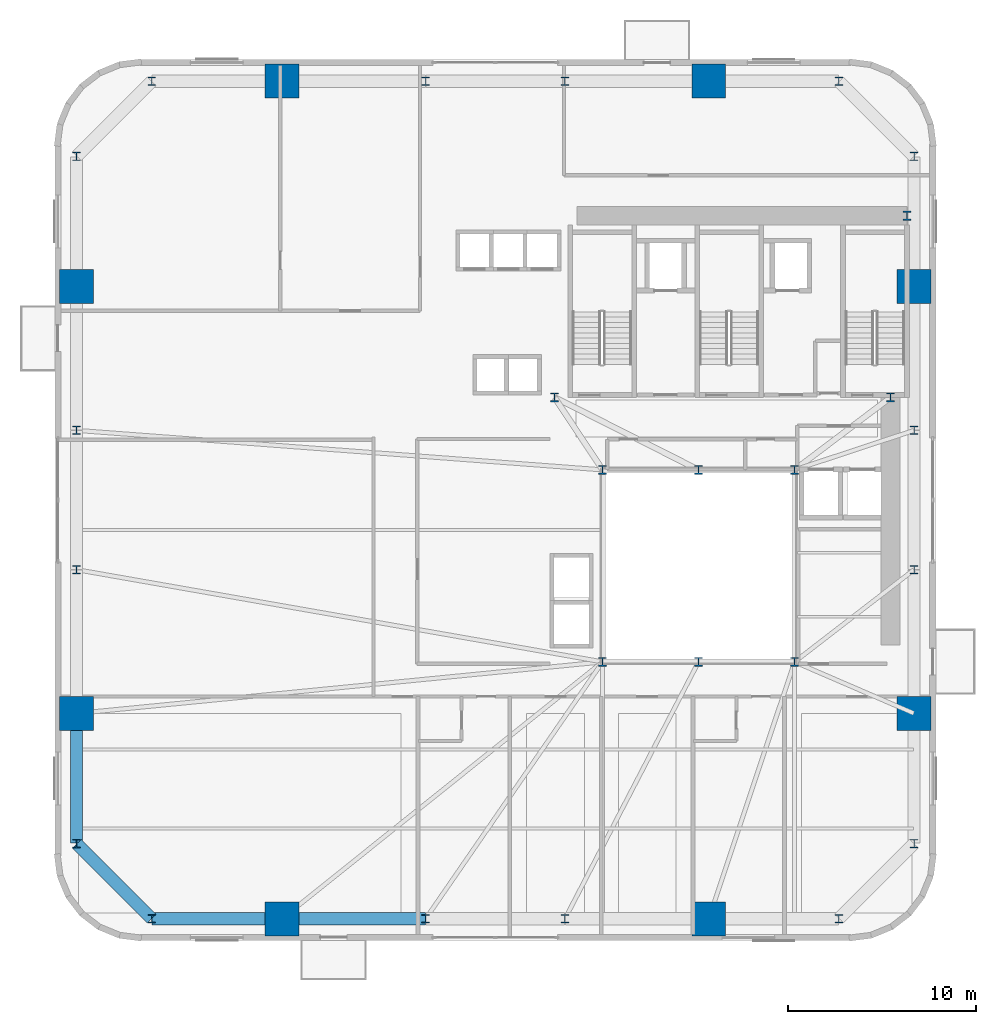
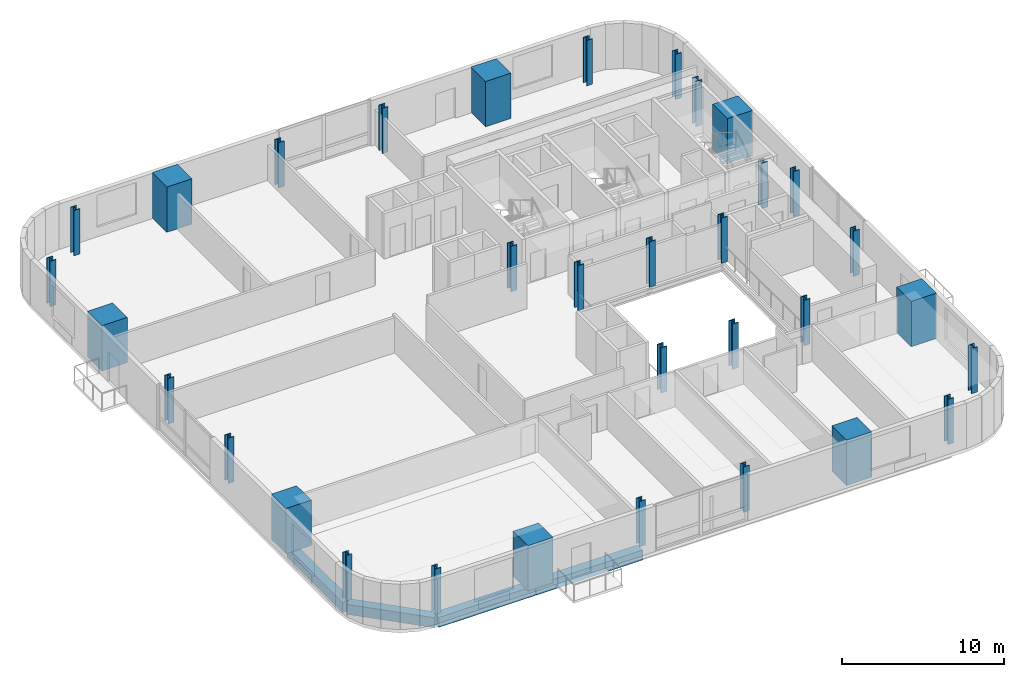
# One storey, part 1 of 13: 33 columns, 4 beams.
"""IFC4 building model written with IfcOpenShell, lengths in metres."""

from ifc_helpers import new_model, si_unit, direction, frame, origin, origin_2d, place, context, subcontext, project, spatial, rectangle, i_section, extrude, source, transform, mapped, material, material_profile, profile_set, type_object, element, save


model = new_model("IFC4")

# Units and contexts
model_context = context("Model", 3, precision=1e-05, world=origin(), true_north=direction((0.0, 1.0)))
body_context = subcontext(model_context, "Body", "Model", "MODEL_VIEW")
ifc_project = project(units=[si_unit("LENGTHUNIT", "METRE"), si_unit("AREAUNIT", "SQUARE_METRE"), si_unit("VOLUMEUNIT", "CUBIC_METRE"), si_unit("PLANEANGLEUNIT", "RADIAN"), si_unit("MASSUNIT", "GRAM", prefix="KILO")], contexts=[model_context])

# Site, building, storey
site_placement = place(None, origin())
site = spatial("IfcSite", under=ifc_project, at=site_placement, CompositionType="ELEMENT")
building_placement = place(site_placement, origin())
building = spatial("IfcBuilding", under=site, at=building_placement, Name="Vardaveli Station Tower", CompositionType="ELEMENT")
storey_placement = place(building_placement, frame((0.0, 0.0, 49.5)))
storey = spatial("IfcBuildingStorey", under=building, at=storey_placement, Name="L12", CompositionType="ELEMENT", Elevation=49.5)

# Columns
ifc_material_1 = material(Name="Structural steel S460M", Category="steel")
ifc_material_profile_1 = material_profile(ifc_material_1, i_section(OverallWidth=0.427978515625, OverallDepth=0.48095703125, WebThickness=0.03955078125, FlangeThickness=0.0634765625, FilletRadius=0.014892578125, at=origin_2d()), Name="HD 400x677")
ifc_profile_set_1 = profile_set([ifc_material_profile_1], Name="Structural steel S460M")
column_type_1 = type_object("IfcColumnType", Name="COL-HD677", PredefinedType="COLUMN", material=ifc_profile_set_1)
shared_shape_1 = source(origin(), body_context, "Body", "SweptSolid", [
    extrude(i_section(OverallWidth=0.427978515625, OverallDepth=0.48095703125, WebThickness=0.03955078125, FlangeThickness=0.0634765625, FilletRadius=0.014892578125, at=origin_2d()), origin(), (0.0, 0.0, 1.0), 3.409912109375),
])
for number, where, z_axis, x_axis, name in (
    (1, (31.199951171875, 16.60009765625, 0.0), (0.0, 0.0, 1.0), (1.0, 0.0, 0.0), "COL-L12-AC1"),
    (2, (36.300048828125, 16.60009765625, 0.0), (0.0, 0.0, 1.0), (1.0, 0.0, 0.0), "COL-L12-AC2"),
    (3, (41.39990234375, 16.60009765625, 0.0), (0.0, 0.0, 1.0), (1.0, 0.0, 0.0), "COL-L12-AC3"),
    (4, (41.39990234375, 26.800048828125, 0.0), (0.0, 0.0, 1.0), (1.0, 0.0, 0.0), "COL-L12-AC4"),
    (5, (36.300048828125, 26.800048828125, 0.0), (0.0, 0.0, 1.0), (1.0, 0.0, 0.0), "COL-L12-AC5"),
    (6, (31.199951171875, 26.800048828125, 0.0), (0.0, 0.0, 1.0), (1.0, 0.0, 0.0), "COL-L12-AC6"),
    (7, (28.64990234375, 30.64990234375, 0.0), (0.0, 0.0, 1.0), (1.0, 0.0, 0.0), "COL-L12-CC1"),
    (8, (46.5, 30.64990234375, 0.0), (0.0, 0.0, 1.0), (1.0, 0.0, 0.0), "COL-L12-CC2"),
    (9, (47.3701171875, 40.300048828125, 0.0), (0.0, 0.0, 1.0), (1.0, 0.0, 0.0), "COL-L12-CC3"),
):
    element("IfcColumn", number, at=place(storey_placement, frame(where, z_axis=z_axis, x_axis=x_axis)), inside=storey, type_object=column_type_1, Name=name, PredefinedType="COLUMN", context=body_context, shape_type="MappedRepresentation", body=[
        mapped(shared_shape_1, transform((0.0, 0.0, 0.0), scale=1.0)),
    ])
ifc_material_2 = material(Name="Concrete C70/85", Category="concrete")
ifc_material_profile_2 = material_profile(ifc_material_2, rectangle(XDim=1.800048828125, YDim=1.800048828125, at=origin_2d()), Name="MC 1800x1800")
ifc_profile_set_2 = profile_set([ifc_material_profile_2], Name="Concrete C70/85")
column_type_2 = type_object("IfcColumnType", Name="COL-MC-1800", PredefinedType="COLUMN", material=ifc_profile_set_2)
shared_shape_2 = source(origin(), body_context, "Body", "SweptSolid", [
    extrude(rectangle(XDim=1.800048828125, YDim=1.800048828125, at=origin_2d()), origin(), (0.0, 0.0, 1.0), 3.409912109375),
])
for number, where, z_axis, x_axis, name in (
    (10, (14.159912109375, 2.949951171875, 0.0), (0.0, 0.0, 1.0), (1.0, 0.0, 0.0), "COL-L12-MC1"),
    (11, (36.840087890625, 2.949951171875, 0.0), (0.0, 0.0, 1.0), (1.0, 0.0, 0.0), "COL-L12-MC2"),
    (12, (47.75, 13.860107421875, 0.0), (0.0, 0.0, 1.0), (1.0, 0.0, 0.0), "COL-L12-MC3"),
    (13, (47.75, 36.5400390625, 0.0), (0.0, 0.0, 1.0), (1.0, 0.0, 0.0), "COL-L12-MC4"),
    (14, (36.840087890625, 47.449951171875, 0.0), (0.0, 0.0, 1.0), (1.0, 0.0, 0.0), "COL-L12-MC5"),
    (15, (14.159912109375, 47.449951171875, 0.0), (0.0, 0.0, 1.0), (1.0, 0.0, 0.0), "COL-L12-MC6"),
    (16, (3.25, 36.5400390625, 0.0), (0.0, 0.0, 1.0), (1.0, 0.0, 0.0), "COL-L12-MC7"),
    (17, (3.25, 13.860107421875, 0.0), (0.0, 0.0, 1.0), (1.0, 0.0, 0.0), "COL-L12-MC8"),
):
    element("IfcColumn", number, at=place(storey_placement, frame(where, z_axis=z_axis, x_axis=x_axis)), inside=storey, type_object=column_type_2, Name=name, PredefinedType="COLUMN", context=body_context, shape_type="MappedRepresentation", body=[
        mapped(shared_shape_2, transform((0.0, 0.0, 0.0), scale=1.0)),
    ])
ifc_material_profile_3 = material_profile(ifc_material_1, i_section(OverallWidth=0.4189453125, OverallDepth=0.448974609375, WebThickness=0.030517578125, FlangeThickness=0.04833984375, FilletRadius=0.014892578125, at=origin_2d()), Name="HD 400x509")
ifc_profile_set_3 = profile_set([ifc_material_profile_3], Name="Structural steel S460M")
column_type_3 = type_object("IfcColumnType", Name="COL-HD509", PredefinedType="COLUMN", material=ifc_profile_set_3)
shared_shape_3 = source(origin(), body_context, "Body", "SweptSolid", [
    extrude(i_section(OverallWidth=0.4189453125, OverallDepth=0.448974609375, WebThickness=0.030517578125, FlangeThickness=0.04833984375, FilletRadius=0.014892578125, at=origin_2d()), origin(), (0.0, 0.0, 1.0), 3.409912109375),
])
for number, where, z_axis, x_axis, name in (
    (18, (7.25, 2.949951171875, 0.0), (0.0, 0.0, 1.0), (1.0, 0.0, 0.0), "COL-L12-PC01"),
    (19, (21.800048828125, 2.949951171875, 0.0), (0.0, 0.0, 1.0), (1.0, 0.0, 0.0), "COL-L12-PC02"),
    (20, (29.199951171875, 2.949951171875, 0.0), (0.0, 0.0, 1.0), (1.0, 0.0, 0.0), "COL-L12-PC03"),
    (21, (43.75, 2.949951171875, 0.0), (0.0, 0.0, 1.0), (1.0, 0.0, 0.0), "COL-L12-PC04"),
    (22, (47.75, 6.949951171875, 0.0), (0.0, 0.0, 1.0), (1.0, 0.0, 0.0), "COL-L12-PC05"),
    (23, (47.75, 21.5, 0.0), (0.0, 0.0, 1.0), (1.0, 0.0, 0.0), "COL-L12-PC06"),
    (24, (47.75, 28.89990234375, 0.0), (0.0, 0.0, 1.0), (1.0, 0.0, 0.0), "COL-L12-PC07"),
    (25, (47.75, 43.449951171875, 0.0), (0.0, 0.0, 1.0), (1.0, 0.0, 0.0), "COL-L12-PC08"),
    (26, (43.75, 47.449951171875, 0.0), (0.0, 0.0, 1.0), (1.0, 0.0, 0.0), "COL-L12-PC09"),
    (27, (29.199951171875, 47.449951171875, 0.0), (0.0, 0.0, 1.0), (1.0, 0.0, 0.0), "COL-L12-PC10"),
    (28, (21.800048828125, 47.449951171875, 0.0), (0.0, 0.0, 1.0), (1.0, 0.0, 0.0), "COL-L12-PC11"),
    (29, (7.25, 47.449951171875, 0.0), (0.0, 0.0, 1.0), (1.0, 0.0, 0.0), "COL-L12-PC12"),
    (30, (3.25, 43.449951171875, 0.0), (0.0, 0.0, 1.0), (1.0, 0.0, 0.0), "COL-L12-PC13"),
    (31, (3.25, 28.89990234375, 0.0), (0.0, 0.0, 1.0), (1.0, 0.0, 0.0), "COL-L12-PC14"),
    (32, (3.25, 21.5, 0.0), (0.0, 0.0, 1.0), (1.0, 0.0, 0.0), "COL-L12-PC15"),
    (33, (3.25, 6.949951171875, 0.0), (0.0, 0.0, 1.0), (1.0, 0.0, 0.0), "COL-L12-PC16"),
):
    element("IfcColumn", number, at=place(storey_placement, frame(where, z_axis=z_axis, x_axis=x_axis)), inside=storey, type_object=column_type_3, Name=name, PredefinedType="COLUMN", context=body_context, shape_type="MappedRepresentation", body=[
        mapped(shared_shape_3, transform((0.0, 0.0, 0.0), scale=1.0)),
    ])

# Beams
ifc_material_3 = material(Name="Precast concrete C45/55", Category="concrete")
ifc_material_profile_4 = material_profile(ifc_material_3, rectangle(XDim=0.64990234375, YDim=0.75, at=origin_2d()), Name="LPB 650x750")
ifc_profile_set_4 = profile_set([ifc_material_profile_4], Name="Precast concrete C45/55")
beam_type = type_object("IfcBeamType", Name="BM-LPB-750", PredefinedType="BEAM", material=ifc_profile_set_4)
shared_shape_4 = source(origin(), body_context, "Body", "SweptSolid", [
    extrude(rectangle(XDim=0.64990234375, YDim=0.75, at=origin_2d()), origin(), (0.0, 0.0, 1.0), 7.60009765625),
])
beam_1_placement = place(storey_placement, frame((14.179931640625, 2.949951171875, -0.614990234375), z_axis=(1.0, 0.0, 0.0), x_axis=(0.0, 1.0, 0.0)))
element("IfcBeam", 34, at=beam_1_placement, inside=storey, type_object=beam_type, Name="RBM-L12-01", PredefinedType="BEAM", context=body_context, shape_type="MappedRepresentation", body=[
    mapped(shared_shape_4, transform((0.0, 0.0, 0.0), scale=1.0)),
])
shared_shape_5 = source(origin(), body_context, "Body", "SweptSolid", [
    extrude(rectangle(XDim=0.64990234375, YDim=0.75, at=origin_2d()), origin(), (0.0, 0.0, 1.0), 6.869873046875),
])
beam_2_placement = place(storey_placement, frame((7.27001953125, 2.949951171875, -0.614990234375), z_axis=(1.0, 0.0, 0.0), x_axis=(0.0, 1.0, 0.0)))
element("IfcBeam", 35, at=beam_2_placement, inside=storey, type_object=beam_type, Name="RBM-L12-24", PredefinedType="BEAM", context=body_context, shape_type="MappedRepresentation", body=[
    mapped(shared_shape_5, transform((0.0, 0.0, 0.0), scale=1.0)),
])
shared_shape_6 = source(origin(), body_context, "Body", "SweptSolid", [
    extrude(rectangle(XDim=0.64990234375, YDim=0.75, at=origin_2d()), origin(), (0.0, 0.0, 1.0), 5.61669921875),
])
beam_3_placement = place(storey_placement, frame((3.26416015625, 6.935791015625, -0.614990234375), z_axis=(0.707106781187, -0.707106781187, 0.0), x_axis=(0.707106781187, 0.707106781187, 0.0)))
element("IfcBeam", 36, at=beam_3_placement, inside=storey, type_object=beam_type, Name="RBM-L12-23", PredefinedType="BEAM", context=body_context, shape_type="MappedRepresentation", body=[
    mapped(shared_shape_6, transform((0.0, 0.0, 0.0), scale=1.0)),
])
shared_shape_7 = source(origin(), body_context, "Body", "SweptSolid", [
    extrude(rectangle(XDim=0.64990234375, YDim=0.75, at=origin_2d()), origin(), (0.0, 0.0, 1.0), 6.8701171875),
])
beam_4_placement = place(storey_placement, frame((3.25, 13.840087890625, -0.614990234375), z_axis=(0.0, -1.0, 0.0), x_axis=(1.0, 0.0, 0.0)))
element("IfcBeam", 37, at=beam_4_placement, inside=storey, type_object=beam_type, Name="RBM-L12-22", PredefinedType="BEAM", context=body_context, shape_type="MappedRepresentation", body=[
    mapped(shared_shape_7, transform((0.0, 0.0, 0.0), scale=1.0)),
])

save(model, "model.ifc")
